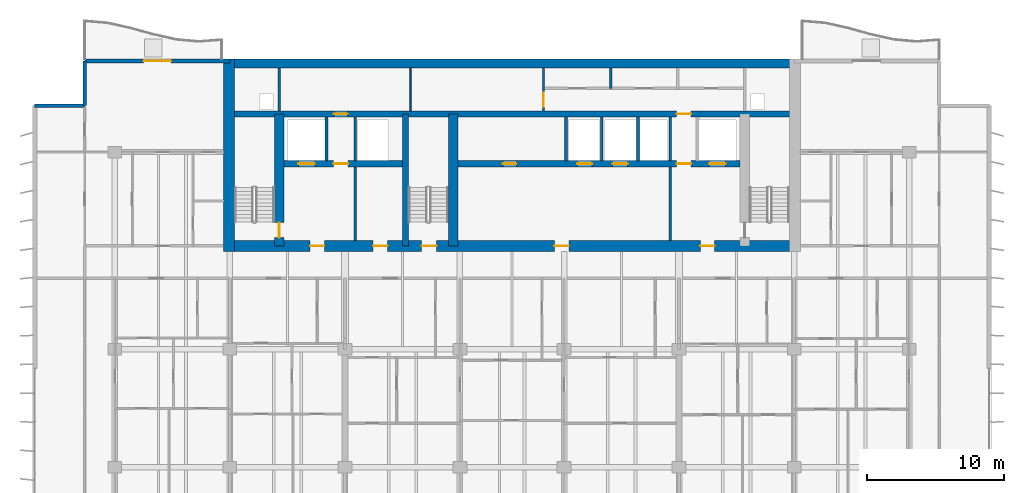
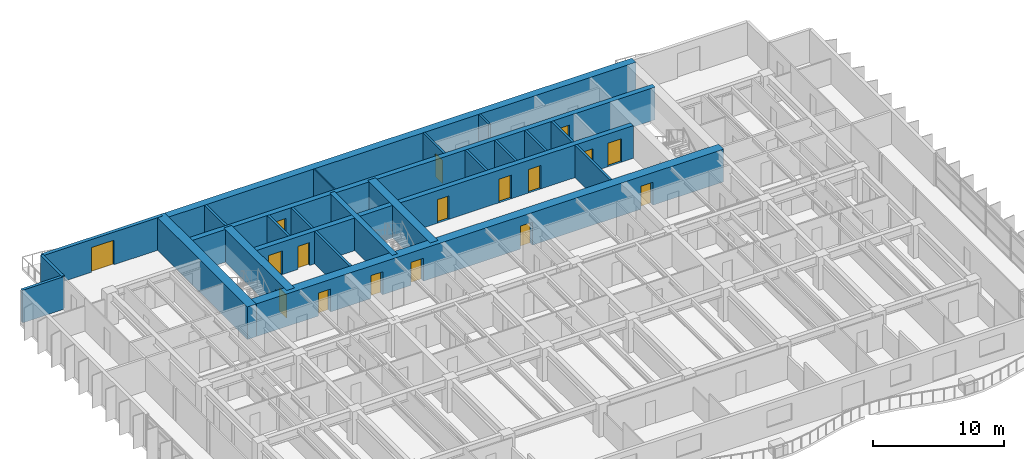
# One storey, part 10 of 16: 23 walls, 17 doors, 17 openings.
"""IFC4 building model written with IfcOpenShell, lengths in metres."""

from ifc_helpers import new_model, si_unit, direction, frame, frame_2d, origin, place, context, subcontext, project, spatial, rectangle, extrude, material, layer, layer_set, type_object, element, fill, save


model = new_model("IFC4")

# Units and contexts
model_context = context("Model", 3, precision=1e-05, world=origin(), true_north=direction((0.0, 1.0)))
body_context = subcontext(model_context, "Body", "Model", "MODEL_VIEW")
ifc_project = project(units=[si_unit("LENGTHUNIT", "METRE"), si_unit("AREAUNIT", "SQUARE_METRE"), si_unit("VOLUMEUNIT", "CUBIC_METRE"), si_unit("PLANEANGLEUNIT", "RADIAN"), si_unit("MASSUNIT", "GRAM", prefix="KILO")], contexts=[model_context])

# Site, building, storey
site_placement = place(None, origin())
site = spatial("IfcSite", under=ifc_project, at=site_placement, CompositionType="ELEMENT")
building_placement = place(site_placement, origin())
building = spatial("IfcBuilding", under=site, at=building_placement, Name="Caelmar Bay Residences", CompositionType="ELEMENT")
storey_placement = place(building_placement, frame((0.0, 0.0, 102.60009765625)))
storey = spatial("IfcBuildingStorey", under=building, at=storey_placement, Name="L27", CompositionType="ELEMENT", Elevation=102.60009765625)

# Wall, opening, door
ifc_material_1 = material(Name="Concrete f'c 55 MPa (8,000 psi)", Category="concrete")
ifc_layer_1 = layer(ifc_material_1, 0.699951171875)
ifc_layer_set_1 = layer_set([ifc_layer_1], Name="Concrete f'c 55 MPa (8,000 psi)")
wall_type_1 = type_object("IfcWallType", Name="SW-COR-700", PredefinedType="SHEAR", material=ifc_layer_set_1)
wall_1_placement = place(storey_placement, frame((21.89990234375, 36.949951171875, 0.0), z_axis=(0.0, 0.0, 1.0), x_axis=(0.0, 1.0, 0.0)))
wall_1 = element("IfcWall", 1, at=wall_1_placement, inside=storey, type_object=wall_type_1, Name="L27 Core Structural Web Wall ST1E", PredefinedType="SHEAR", context=body_context, shape_type="SweptSolid", body=[
    extrude(rectangle(XDim=9.625, YDim=0.699951171875, at=frame_2d((4.8125, 0.0))), origin(), (0.0, 0.0, 1.0), 3.0498046875),
])
opening_1_placement = place(wall_1_placement, frame((0.60009765625, 0.0, 0.0)))
opening_1 = element("IfcOpeningElement", 2, at=opening_1_placement, cuts=wall_1, Name="Opening D-L27-107", PredefinedType="OPENING", context=body_context, shape_type="SweptSolid", body=[
    extrude(rectangle(XDim=1.10009765625, YDim=2.14990234375, at=frame_2d((0.550048828125, 1.074951171875))), frame((0.0, 0.35986328125, 0.0), z_axis=(0.0, -1.0, 0.0), x_axis=(1.0, 0.0, 0.0)), (0.0, 0.0, 1.0), 0.719970703125),
])
ifc_material_2 = material(Name="Fire-rated steel and walnut architectural door assembly", Category="steel")
ifc_layer_2 = layer(ifc_material_2, 0.050048828125)
ifc_layer_set_2 = layer_set([ifc_layer_2], Name="Fire-rated steel and walnut architectural door assembly")
door_type_1 = type_object("IfcDoorType", Name="D-STAIR-1100", OperationType="NOTDEFINED", PredefinedType="DOOR", material=ifc_layer_set_2)
door_1_placement = place(opening_1_placement, origin())
door_1 = element("IfcDoor", 3, at=door_1_placement, inside=storey, type_object=door_type_1, Name="L27 Firefighting Lobby West Door", OperationType="SINGLE_SWING_RIGHT", OverallHeight=2.14990234375, OverallWidth=1.10009765625, PredefinedType="DOOR", context=body_context, shape_type="SweptSolid", body=[
    extrude(rectangle(XDim=1.10009765625, YDim=2.14990234375, at=frame_2d((0.550048828125, 1.074951171875))), frame((0.0, 0.02490234375, 0.0), z_axis=(0.0, -1.0, 0.0), x_axis=(1.0, 0.0, 0.0)), (0.0, 0.0, 1.0), 0.050048828125),
])
fill(opening_1, door_1)

# Wall
wall_2_placement = place(storey_placement, frame((34.60009765625, 36.949951171875, 0.0), z_axis=(0.0, 0.0, 1.0), x_axis=(0.0, 1.0, 0.0)))
element("IfcWall", 4, at=wall_2_placement, inside=storey, type_object=wall_type_1, Name="L27 Core Structural Web Wall ST3E", PredefinedType="SHEAR", context=body_context, shape_type="SweptSolid", body=[
    extrude(rectangle(XDim=9.625, YDim=0.699951171875, at=frame_2d((4.8125, 0.0))), origin(), (0.0, 0.0, 1.0), 3.0498046875),
])

# Wall, openings, doors
ifc_material_3 = material(Name="Concrete f'c 70 MPa (10,000 psi)", Category="concrete")
ifc_layer_3 = layer(ifc_material_3, 0.800048828125)
ifc_layer_set_3 = layer_set([ifc_layer_3], Name="Concrete f'c 70 MPa (10,000 psi)")
wall_type_2 = type_object("IfcWallType", Name="SW-COR-800", PredefinedType="SHEAR", material=ifc_layer_set_3)
wall_3_placement = place(storey_placement, frame((17.85009765625, 36.949951171875, 0.0), z_axis=(0.0, 0.0, 1.0), x_axis=(1.0, 0.0, 0.0)))
wall_3 = element("IfcWall", 5, at=wall_3_placement, inside=storey, type_object=wall_type_2, Name="L27 Rear Core South Shear Wall", PredefinedType="SHEAR", context=body_context, shape_type="SweptSolid", body=[
    extrude(rectangle(XDim=42.099853515625, YDim=0.800048828125, at=frame_2d((21.0498046875, 0.0))), origin(), (0.0, 0.0, 1.0), 3.0498046875),
])
opening_2_placement = place(wall_3_placement, frame((14.449951171875, 0.0, 0.0)))
opening_2 = element("IfcOpeningElement", 6, at=opening_2_placement, cuts=wall_3, Name="Opening D-L27-105", PredefinedType="OPENING", context=body_context, shape_type="SweptSolid", body=[
    extrude(rectangle(XDim=1.10009765625, YDim=2.14990234375, at=frame_2d((0.550048828125, 1.074951171875))), frame((0.0, 0.409912109375, 0.0), z_axis=(0.0, -1.0, 0.0), x_axis=(1.0, 0.0, 0.0)), (0.0, 0.0, 1.0), 0.820068359375),
])
opening_3_placement = place(wall_3_placement, frame((6.300048828125, 0.0, 0.0)))
opening_3 = element("IfcOpeningElement", 7, at=opening_3_placement, cuts=wall_3, Name="Opening D-L27-106", PredefinedType="OPENING", context=body_context, shape_type="SweptSolid", body=[
    extrude(rectangle(XDim=1.050048828125, YDim=2.14990234375, at=frame_2d((0.52490234375, 1.074951171875))), frame((0.0, 0.409912109375, 0.0), z_axis=(0.0, -1.0, 0.0), x_axis=(1.0, 0.0, 0.0)), (0.0, 0.0, 1.0), 0.820068359375),
])
opening_4_placement = place(wall_3_placement, frame((34.800048828125, 0.0, 0.0)))
opening_4 = element("IfcOpeningElement", 8, at=opening_4_placement, cuts=wall_3, Name="Opening D-L27-109", PredefinedType="OPENING", context=body_context, shape_type="SweptSolid", body=[
    extrude(rectangle(XDim=1.050048828125, YDim=2.14990234375, at=frame_2d((0.52490234375, 1.074951171875))), frame((0.0, 0.409912109375, 0.0), z_axis=(0.0, -1.0, 0.0), x_axis=(1.0, 0.0, 0.0)), (0.0, 0.0, 1.0), 0.820068359375),
])
opening_5_placement = place(wall_3_placement, frame((10.91259765625, 0.0, 0.0)))
opening_5 = element("IfcOpeningElement", 9, at=opening_5_placement, cuts=wall_3, Name="Opening D-L27-112", PredefinedType="OPENING", context=body_context, shape_type="SweptSolid", body=[
    extrude(rectangle(XDim=1.050048828125, YDim=2.14990234375, at=frame_2d((0.52490234375, 1.074951171875))), frame((0.0, 0.409912109375, 0.0), z_axis=(0.0, -1.0, 0.0), x_axis=(1.0, 0.0, 0.0)), (0.0, 0.0, 1.0), 0.820068359375),
])
opening_6_placement = place(wall_3_placement, frame((24.14990234375, 0.0, 0.0)))
opening_6 = element("IfcOpeningElement", 10, at=opening_6_placement, cuts=wall_3, Name="Opening D-L27-113", PredefinedType="OPENING", context=body_context, shape_type="SweptSolid", body=[
    extrude(rectangle(XDim=1.050048828125, YDim=2.14990234375, at=frame_2d((0.52490234375, 1.074951171875))), frame((0.0, 0.409912109375, 0.0), z_axis=(0.0, -1.0, 0.0), x_axis=(1.0, 0.0, 0.0)), (0.0, 0.0, 1.0), 0.820068359375),
])
ifc_layer_4 = layer(ifc_material_2, 0.050048828125)
ifc_layer_set_4 = layer_set([ifc_layer_4], Name="Fire-rated steel and walnut architectural door assembly")
door_type_2 = type_object("IfcDoorType", Name="D-FSAE-1050", OperationType="NOTDEFINED", PredefinedType="DOOR", material=ifc_layer_set_4)
door_2_placement = place(opening_3_placement, origin())
door_2 = element("IfcDoor", 11, at=door_2_placement, inside=storey, type_object=door_type_2, Name="L27 Firefighting Lobby West Door", OperationType="SINGLE_SWING_LEFT", OverallHeight=2.14990234375, OverallWidth=1.050048828125, PredefinedType="DOOR", context=body_context, shape_type="SweptSolid", body=[
    extrude(rectangle(XDim=1.050048828125, YDim=2.14990234375, at=frame_2d((0.52490234375, 1.074951171875))), frame((0.0, 0.02490234375, 0.0), z_axis=(0.0, -1.0, 0.0), x_axis=(1.0, 0.0, 0.0)), (0.0, 0.0, 1.0), 0.050048828125),
])
fill(opening_3, door_2)
door_3_placement = place(opening_4_placement, origin())
door_3 = element("IfcDoor", 12, at=door_3_placement, inside=storey, type_object=door_type_2, Name="L27 Firefighting Lobby East Door", OperationType="SINGLE_SWING_RIGHT", OverallHeight=2.14990234375, OverallWidth=1.050048828125, PredefinedType="DOOR", context=body_context, shape_type="SweptSolid", body=[
    extrude(rectangle(XDim=1.050048828125, YDim=2.14990234375, at=frame_2d((0.52490234375, 1.074951171875))), frame((0.0, 0.02490234375, 0.0), z_axis=(0.0, -1.0, 0.0), x_axis=(1.0, 0.0, 0.0)), (0.0, 0.0, 1.0), 0.050048828125),
])
fill(opening_4, door_3)
door_4_placement = place(opening_5_placement, origin())
door_4 = element("IfcDoor", 13, at=door_4_placement, inside=storey, type_object=door_type_2, Name="L27 West Lift Lobby Door", OperationType="SINGLE_SWING_LEFT", OverallHeight=2.14990234375, OverallWidth=1.050048828125, PredefinedType="DOOR", context=body_context, shape_type="SweptSolid", body=[
    extrude(rectangle(XDim=1.050048828125, YDim=2.14990234375, at=frame_2d((0.52490234375, 1.074951171875))), frame((0.0, 0.02490234375, 0.0), z_axis=(0.0, -1.0, 0.0), x_axis=(1.0, 0.0, 0.0)), (0.0, 0.0, 1.0), 0.050048828125),
])
fill(opening_5, door_4)
door_5_placement = place(opening_6_placement, origin())
door_5 = element("IfcDoor", 14, at=door_5_placement, inside=storey, type_object=door_type_2, Name="L27 Passenger Lift Lobby Door", OperationType="SINGLE_SWING_RIGHT", OverallHeight=2.14990234375, OverallWidth=1.050048828125, PredefinedType="DOOR", context=body_context, shape_type="SweptSolid", body=[
    extrude(rectangle(XDim=1.050048828125, YDim=2.14990234375, at=frame_2d((0.52490234375, 1.074951171875))), frame((0.0, 0.02490234375, 0.0), z_axis=(0.0, -1.0, 0.0), x_axis=(1.0, 0.0, 0.0)), (0.0, 0.0, 1.0), 0.050048828125),
])
fill(opening_6, door_5)
door_6_placement = place(opening_2_placement, origin())
door_6 = element("IfcDoor", 15, at=door_6_placement, inside=storey, type_object=door_type_1, Name="L27 Exit Stair ST3 Door", OperationType="SINGLE_SWING_RIGHT", OverallHeight=2.14990234375, OverallWidth=1.10009765625, PredefinedType="DOOR", context=body_context, shape_type="SweptSolid", body=[
    extrude(rectangle(XDim=1.10009765625, YDim=2.14990234375, at=frame_2d((0.550048828125, 1.074951171875))), frame((0.0, 0.02490234375, 0.0), z_axis=(0.0, -1.0, 0.0), x_axis=(1.0, 0.0, 0.0)), (0.0, 0.0, 1.0), 0.050048828125),
])
fill(opening_2, door_6)

# Walls
wall_4_placement = place(storey_placement, frame((18.25, 36.550048828125, 0.0), z_axis=(0.0, 0.0, 1.0), x_axis=(0.0, 1.0, 0.0)))
element("IfcWall", 16, at=wall_4_placement, inside=storey, type_object=wall_type_2, Name="L27 Rear Core West Shear Wall", PredefinedType="SHEAR", context=body_context, shape_type="SweptSolid", body=[
    extrude(rectangle(XDim=14.050048828125, YDim=0.800048828125, at=frame_2d((7.02490234375, 0.0))), origin(), (0.0, 0.0, 1.0), 3.0498046875),
])
ifc_layer_5 = layer(ifc_material_1, 0.64990234375)
ifc_layer_set_5 = layer_set([ifc_layer_5], Name="Concrete f'c 55 MPa (8,000 psi)")
wall_type_3 = type_object("IfcWallType", Name="SW-CORN-650", PredefinedType="SHEAR", material=ifc_layer_set_5)
wall_5_placement = place(storey_placement, frame((17.85009765625, 50.27490234375, 0.0), z_axis=(0.0, 0.0, 1.0), x_axis=(1.0, 0.0, 0.0)))
element("IfcWall", 17, at=wall_5_placement, inside=storey, type_object=wall_type_3, Name="L27 Rear Core North Shear Wall", PredefinedType="SHEAR", context=body_context, shape_type="SweptSolid", body=[
    extrude(rectangle(XDim=42.099853515625, YDim=0.64990234375, at=frame_2d((21.0498046875, 0.0))), origin(), (0.0, 0.0, 1.0), 3.0498046875),
])
ifc_layer_6 = layer(ifc_material_3, 0.449951171875)
ifc_layer_set_6 = layer_set([ifc_layer_6], Name="Concrete f'c 70 MPa (10,000 psi)")
wall_type_4 = type_object("IfcWallType", Name="SW-WEB-450", PredefinedType="SHEAR", material=ifc_layer_set_6)
wall_6_placement = place(storey_placement, frame((31.125, 36.949951171875, 0.0), z_axis=(0.0, 0.0, 1.0), x_axis=(0.0, 1.0, 0.0)))
element("IfcWall", 18, at=wall_6_placement, inside=storey, type_object=wall_type_4, Name="L27 Core Structural Web Wall ST3W", PredefinedType="SHEAR", context=body_context, shape_type="SweptSolid", body=[
    extrude(rectangle(XDim=9.625, YDim=0.449951171875, at=frame_2d((4.8125, 0.0))), origin(), (0.0, 0.0, 1.0), 3.0498046875),
])

# Wall, openings, doors
wall_7_placement = place(storey_placement, frame((22.25, 42.949951171875, 0.0), z_axis=(0.0, 0.0, 1.0), x_axis=(1.0, 0.0, 0.0)))
wall_7 = element("IfcWall", 19, at=wall_7_placement, inside=storey, type_object=wall_type_4, Name="L27 Core Structural Web Wall LFR", PredefinedType="SHEAR", context=body_context, shape_type="SweptSolid", body=[
    extrude(rectangle(XDim=33.300048828125, YDim=0.449951171875, at=frame_2d((16.64990234375, 0.0))), origin(), (0.0, 0.0, 1.0), 3.0498046875),
])
opening_7_placement = place(wall_7_placement, frame((1.050048828125, 0.0, 0.0)))
opening_7 = element("IfcOpeningElement", 20, at=opening_7_placement, cuts=wall_7, Name="Opening LD2", PredefinedType="OPENING", context=body_context, shape_type="SweptSolid", body=[
    extrude(rectangle(XDim=1.199951171875, YDim=2.199951171875, at=frame_2d((0.60009765625, 1.10009765625))), frame((0.0, 0.23486328125, 0.0), z_axis=(0.0, -1.0, 0.0), x_axis=(1.0, 0.0, 0.0)), (0.0, 0.0, 1.0), 0.469970703125),
])
opening_8_placement = place(wall_7_placement, frame((31.050048828125, 0.0, 0.0)))
opening_8 = element("IfcOpeningElement", 21, at=opening_8_placement, cuts=wall_7, Name="Opening LD2", PredefinedType="OPENING", context=body_context, shape_type="SweptSolid", body=[
    extrude(rectangle(XDim=1.199951171875, YDim=2.199951171875, at=frame_2d((0.60009765625, 1.10009765625))), frame((0.0, 0.23486328125, 0.0), z_axis=(0.0, -1.0, 0.0), x_axis=(1.0, 0.0, 0.0)), (0.0, 0.0, 1.0), 0.469970703125),
])
opening_9_placement = place(wall_7_placement, frame((21.39990234375, 0.0, 0.0)))
opening_9 = element("IfcOpeningElement", 22, at=opening_9_placement, cuts=wall_7, Name="Opening LD1", PredefinedType="OPENING", context=body_context, shape_type="SweptSolid", body=[
    extrude(rectangle(XDim=1.10009765625, YDim=2.199951171875, at=frame_2d((0.550048828125, 1.10009765625))), frame((0.0, 0.23486328125, 0.0), z_axis=(0.0, -1.0, 0.0), x_axis=(1.0, 0.0, 0.0)), (0.0, 0.0, 1.0), 0.469970703125),
])
opening_10_placement = place(wall_7_placement, frame((24.0, 0.0, 0.0)))
opening_10 = element("IfcOpeningElement", 23, at=opening_10_placement, cuts=wall_7, Name="Opening LD1", PredefinedType="OPENING", context=body_context, shape_type="SweptSolid", body=[
    extrude(rectangle(XDim=1.10009765625, YDim=2.199951171875, at=frame_2d((0.550048828125, 1.10009765625))), frame((0.0, 0.23486328125, 0.0), z_axis=(0.0, -1.0, 0.0), x_axis=(1.0, 0.0, 0.0)), (0.0, 0.0, 1.0), 0.469970703125),
])
opening_11_placement = place(wall_7_placement, frame((3.625, 0.0, 0.0)))
opening_11 = element("IfcOpeningElement", 24, at=opening_11_placement, cuts=wall_7, Name="Opening D-L27-108", PredefinedType="OPENING", context=body_context, shape_type="SweptSolid", body=[
    extrude(rectangle(XDim=1.050048828125, YDim=2.14990234375, at=frame_2d((0.52490234375, 1.074951171875))), frame((0.0, 0.23486328125, 0.0), z_axis=(0.0, -1.0, 0.0), x_axis=(1.0, 0.0, 0.0)), (0.0, 0.0, 1.0), 0.469970703125),
])
opening_12_placement = place(wall_7_placement, frame((28.675048828125, 0.0, 0.0)))
opening_12 = element("IfcOpeningElement", 25, at=opening_12_placement, cuts=wall_7, Name="Opening D-L27-111", PredefinedType="OPENING", context=body_context, shape_type="SweptSolid", body=[
    extrude(rectangle(XDim=1.050048828125, YDim=2.14990234375, at=frame_2d((0.52490234375, 1.074951171875))), frame((0.0, 0.23486328125, 0.0), z_axis=(0.0, -1.0, 0.0), x_axis=(1.0, 0.0, 0.0)), (0.0, 0.0, 1.0), 0.469970703125),
])
opening_13_placement = place(wall_7_placement, frame((15.97509765625, 0.0, 0.0)))
opening_13 = element("IfcOpeningElement", 26, at=opening_13_placement, cuts=wall_7, Name="Opening D-L27-114", PredefinedType="OPENING", context=body_context, shape_type="SweptSolid", body=[
    extrude(rectangle(XDim=1.0, YDim=2.199951171875, at=frame_2d((0.5, 1.10009765625))), frame((0.0, 0.23486328125, 0.0), z_axis=(0.0, -1.0, 0.0), x_axis=(1.0, 0.0, 0.0)), (0.0, 0.0, 1.0), 0.469970703125),
])
door_7_placement = place(opening_11_placement, origin())
door_7 = element("IfcDoor", 27, at=door_7_placement, inside=storey, type_object=door_type_2, Name="L27 Firefighting Lobby West Door", OperationType="SINGLE_SWING_LEFT", OverallHeight=2.14990234375, OverallWidth=1.050048828125, PredefinedType="DOOR", context=body_context, shape_type="SweptSolid", body=[
    extrude(rectangle(XDim=1.050048828125, YDim=2.14990234375, at=frame_2d((0.52490234375, 1.074951171875))), frame((0.0, 0.02490234375, 0.0), z_axis=(0.0, -1.0, 0.0), x_axis=(1.0, 0.0, 0.0)), (0.0, 0.0, 1.0), 0.050048828125),
])
fill(opening_11, door_7)
door_8_placement = place(opening_12_placement, origin())
door_8 = element("IfcDoor", 28, at=door_8_placement, inside=storey, type_object=door_type_2, Name="L27 Firefighting Lobby East Door", OperationType="SINGLE_SWING_RIGHT", OverallHeight=2.14990234375, OverallWidth=1.050048828125, PredefinedType="DOOR", context=body_context, shape_type="SweptSolid", body=[
    extrude(rectangle(XDim=1.050048828125, YDim=2.14990234375, at=frame_2d((0.52490234375, 1.074951171875))), frame((0.0, 0.02490234375, 0.0), z_axis=(0.0, -1.0, 0.0), x_axis=(1.0, 0.0, 0.0)), (0.0, 0.0, 1.0), 0.050048828125),
])
fill(opening_12, door_8)
ifc_material_4 = material(Name="Brushed bronze stainless-steel fire-rated lift landing doors", Category="steel")
ifc_layer_7 = layer(ifc_material_4, 0.050048828125)
ifc_layer_set_7 = layer_set([ifc_layer_7], Name="Brushed bronze stainless-steel fire-rated lift landing doors")
door_type_3 = type_object("IfcDoorType", Name="D-LND-1100", OperationType="DOUBLE_DOOR_SLIDING", PredefinedType="DOOR", material=ifc_layer_set_7)
door_9_placement = place(opening_9_placement, origin())
door_9 = element("IfcDoor", 29, at=door_9_placement, inside=storey, type_object=door_type_3, Name="L27 LP4 Sliding Landing Door", OperationType="DOUBLE_DOOR_SLIDING", OverallHeight=2.199951171875, OverallWidth=1.10009765625, PredefinedType="DOOR", context=body_context, shape_type="SweptSolid", body=[
    extrude(rectangle(XDim=1.10009765625, YDim=2.199951171875, at=frame_2d((0.550048828125, 1.10009765625))), frame((0.0, 0.02490234375, 0.0), z_axis=(0.0, -1.0, 0.0), x_axis=(1.0, 0.0, 0.0)), (0.0, 0.0, 1.0), 0.050048828125),
])
fill(opening_9, door_9)
door_10_placement = place(opening_10_placement, origin())
door_10 = element("IfcDoor", 30, at=door_10_placement, inside=storey, type_object=door_type_3, Name="L27 LP5 Sliding Landing Door", OperationType="DOUBLE_DOOR_SLIDING", OverallHeight=2.199951171875, OverallWidth=1.10009765625, PredefinedType="DOOR", context=body_context, shape_type="SweptSolid", body=[
    extrude(rectangle(XDim=1.10009765625, YDim=2.199951171875, at=frame_2d((0.550048828125, 1.10009765625))), frame((0.0, 0.02490234375, 0.0), z_axis=(0.0, -1.0, 0.0), x_axis=(1.0, 0.0, 0.0)), (0.0, 0.0, 1.0), 0.050048828125),
])
fill(opening_10, door_10)
ifc_material_5 = material(Name="Brushed stainless-steel FSAE sliding landing door", Category="steel")
ifc_layer_8 = layer(ifc_material_5, 0.050048828125)
ifc_layer_set_8 = layer_set([ifc_layer_8], Name="Brushed stainless-steel FSAE sliding landing door")
door_type_4 = type_object("IfcDoorType", Name="D-LND-1200", OperationType="DOUBLE_DOOR_SLIDING", PredefinedType="DOOR", material=ifc_layer_set_8)
door_11_placement = place(opening_7_placement, origin())
door_11 = element("IfcDoor", 31, at=door_11_placement, inside=storey, type_object=door_type_4, Name="L27 LF1 Sliding Landing Door", OperationType="DOUBLE_DOOR_SLIDING", OverallHeight=2.199951171875, OverallWidth=1.199951171875, PredefinedType="DOOR", context=body_context, shape_type="SweptSolid", body=[
    extrude(rectangle(XDim=1.199951171875, YDim=2.199951171875, at=frame_2d((0.60009765625, 1.10009765625))), frame((0.0, 0.02490234375, 0.0), z_axis=(0.0, -1.0, 0.0), x_axis=(1.0, 0.0, 0.0)), (0.0, 0.0, 1.0), 0.050048828125),
])
fill(opening_7, door_11)
door_12_placement = place(opening_8_placement, origin())
door_12 = element("IfcDoor", 32, at=door_12_placement, inside=storey, type_object=door_type_4, Name="L27 LF2 Sliding Landing Door", OperationType="DOUBLE_DOOR_SLIDING", OverallHeight=2.199951171875, OverallWidth=1.199951171875, PredefinedType="DOOR", context=body_context, shape_type="SweptSolid", body=[
    extrude(rectangle(XDim=1.199951171875, YDim=2.199951171875, at=frame_2d((0.60009765625, 1.10009765625))), frame((0.0, 0.02490234375, 0.0), z_axis=(0.0, -1.0, 0.0), x_axis=(1.0, 0.0, 0.0)), (0.0, 0.0, 1.0), 0.050048828125),
])
fill(opening_8, door_12)
ifc_layer_9 = layer(ifc_material_2, 0.050048828125)
ifc_layer_set_9 = layer_set([ifc_layer_9], Name="Fire-rated steel and walnut architectural door assembly")
door_type_5 = type_object("IfcDoorType", Name="D-UNIT-1000", OperationType="NOTDEFINED", PredefinedType="DOOR", material=ifc_layer_set_9)
door_13_placement = place(opening_13_placement, origin())
door_13 = element("IfcDoor", 33, at=door_13_placement, inside=storey, type_object=door_type_5, Name="L27 Quiet Reading Study Door", OperationType="SINGLE_SWING_LEFT", OverallHeight=2.199951171875, OverallWidth=1.0, PredefinedType="DOOR", context=body_context, shape_type="SweptSolid", body=[
    extrude(rectangle(XDim=1.0, YDim=2.199951171875, at=frame_2d((0.5, 1.10009765625))), frame((0.0, 0.02490234375, 0.0), z_axis=(0.0, -1.0, 0.0), x_axis=(1.0, 0.0, 0.0)), (0.0, 0.0, 1.0), 0.050048828125),
])
fill(opening_13, door_13)

wall_8_placement = place(storey_placement, frame((18.25, 46.574951171875, 0.0), z_axis=(0.0, 0.0, 1.0), x_axis=(1.0, 0.0, 0.0)))
wall_8 = element("IfcWall", 34, at=wall_8_placement, inside=storey, type_object=wall_type_4, Name="L27 Core Structural Web Wall SRVS", PredefinedType="SHEAR", context=body_context, shape_type="SweptSolid", body=[
    extrude(rectangle(XDim=41.300048828125, YDim=0.449951171875, at=frame_2d((20.64990234375, 0.0))), origin(), (0.0, 0.0, 1.0), 3.0498046875),
])
opening_14_placement = place(wall_8_placement, frame((7.64990234375, 0.0, 0.0)))
opening_14 = element("IfcOpeningElement", 35, at=opening_14_placement, cuts=wall_8, Name="Opening D-L27-115", PredefinedType="OPENING", context=body_context, shape_type="SweptSolid", body=[
    extrude(rectangle(XDim=1.0, YDim=2.199951171875, at=frame_2d((0.5, 1.10009765625))), frame((0.0, 0.23486328125, 0.0), z_axis=(0.0, -1.0, 0.0), x_axis=(1.0, 0.0, 0.0)), (0.0, 0.0, 1.0), 0.469970703125),
])
opening_15_placement = place(wall_8_placement, frame((32.675048828125, 0.0, 0.0)))
opening_15 = element("IfcOpeningElement", 36, at=opening_15_placement, cuts=wall_8, Name="Opening D-L27-116", PredefinedType="OPENING", context=body_context, shape_type="SweptSolid", body=[
    extrude(rectangle(XDim=1.050048828125, YDim=2.14990234375, at=frame_2d((0.52490234375, 1.074951171875))), frame((0.0, 0.23486328125, 0.0), z_axis=(0.0, -1.0, 0.0), x_axis=(1.0, 0.0, 0.0)), (0.0, 0.0, 1.0), 0.469970703125),
])
door_14_placement = place(opening_15_placement, origin())
door_14 = element("IfcDoor", 37, at=door_14_placement, inside=storey, type_object=door_type_2, Name="L27 East Core Service Corridor Door", OperationType="SINGLE_SWING_LEFT", OverallHeight=2.14990234375, OverallWidth=1.050048828125, PredefinedType="DOOR", context=body_context, shape_type="SweptSolid", body=[
    extrude(rectangle(XDim=1.050048828125, YDim=2.14990234375, at=frame_2d((0.52490234375, 1.074951171875))), frame((0.0, 0.02490234375, 0.0), z_axis=(0.0, -1.0, 0.0), x_axis=(1.0, 0.0, 0.0)), (0.0, 0.0, 1.0), 0.050048828125),
])
fill(opening_15, door_14)
door_15_placement = place(opening_14_placement, origin())
door_15 = element("IfcDoor", 38, at=door_15_placement, inside=storey, type_object=door_type_5, Name="L27 Package Concierge Office Door", OperationType="SINGLE_SWING_RIGHT", OverallHeight=2.199951171875, OverallWidth=1.0, PredefinedType="DOOR", context=body_context, shape_type="SweptSolid", body=[
    extrude(rectangle(XDim=1.0, YDim=2.199951171875, at=frame_2d((0.5, 1.10009765625))), frame((0.0, 0.02490234375, 0.0), z_axis=(0.0, -1.0, 0.0), x_axis=(1.0, 0.0, 0.0)), (0.0, 0.0, 1.0), 0.050048828125),
])
fill(opening_14, door_15)

# Wall, opening, door
ifc_material_6 = material(Name="Double-stud acoustic fire-rated gypsum partition 180 mm")
ifc_layer_10 = layer(ifc_material_6, 0.179931640625)
ifc_layer_set_10 = layer_set([ifc_layer_10], Name="Double-stud acoustic fire-rated gypsum partition 180 mm")
wall_type_5 = type_object("IfcWallType", Name="W-COR-200", PredefinedType="PARTITIONING", material=ifc_layer_set_10)
wall_9_placement = place(storey_placement, frame((41.199951171875, 46.794921875, 0.0), z_axis=(0.0, 0.0, 1.0), x_axis=(0.0, 1.0, 0.0)))
wall_9 = element("IfcWall", 39, at=wall_9_placement, inside=storey, type_object=wall_type_5, Name="L27 Partition Wall V060", PredefinedType="PARTITIONING", context=body_context, shape_type="SweptSolid", body=[
    extrude(rectangle(XDim=3.16015625, YDim=0.179931640625, at=frame_2d((1.580078125, 0.0))), origin(), (0.0, 0.0, 1.0), 3.0498046875),
])
opening_16_placement = place(wall_9_placement, frame((0.327392578125, 0.0, 0.0)))
opening_16 = element("IfcOpeningElement", 40, at=opening_16_placement, cuts=wall_9, Name="Opening D-L27-117", PredefinedType="OPENING", context=body_context, shape_type="SweptSolid", body=[
    extrude(rectangle(XDim=1.0, YDim=2.199951171875, at=frame_2d((0.5, 1.10009765625))), frame((0.0, 0.099853515625, 0.0), z_axis=(0.0, -1.0, 0.0), x_axis=(1.0, 0.0, 0.0)), (0.0, 0.0, 1.0), 0.199951171875),
])
door_16_placement = place(opening_16_placement, origin())
door_16 = element("IfcDoor", 41, at=door_16_placement, inside=storey, type_object=door_type_5, Name="L27 Engineering Control Office Door", OperationType="SINGLE_SWING_RIGHT", OverallHeight=2.199951171875, OverallWidth=1.0, PredefinedType="DOOR", context=body_context, shape_type="SweptSolid", body=[
    extrude(rectangle(XDim=1.0, YDim=2.199951171875, at=frame_2d((0.5, 1.10009765625))), frame((0.0, 0.02490234375, 0.0), z_axis=(0.0, -1.0, 0.0), x_axis=(1.0, 0.0, 0.0)), (0.0, 0.0, 1.0), 0.050048828125),
])
fill(opening_16, door_16)

# Walls
wall_10_placement = place(storey_placement, frame((46.10009765625, 48.449951171875, 0.0), z_axis=(0.0, 0.0, 1.0), x_axis=(0.0, 1.0, 0.0)))
element("IfcWall", 42, at=wall_10_placement, inside=storey, type_object=wall_type_5, Name="L27 Partition Wall V069", PredefinedType="PARTITIONING", context=body_context, shape_type="SweptSolid", body=[
    extrude(rectangle(XDim=1.505126953125, YDim=0.179931640625, at=frame_2d((0.75244140625, 0.0))), origin(), (0.0, 0.0, 1.0), 3.0498046875),
])
ifc_material_7 = material(Name="Precast concrete f'c 40 MPa (6,000 psi)", Category="concrete")
ifc_layer_11 = layer(ifc_material_7, 0.25)
ifc_layer_set_11 = layer_set([ifc_layer_11], Name="Precast concrete f'c 40 MPa (6,000 psi)")
wall_type_6 = type_object("IfcWallType", Name="W-EXT-250", PredefinedType="ELEMENTEDWALL", material=ifc_layer_set_11)
wall_11_placement = place(storey_placement, frame((4.050048828125, 47.199951171875, 0.0), z_axis=(0.0, 0.0, 1.0), x_axis=(1.0, 0.0, 0.0)))
element("IfcWall", 43, at=wall_11_placement, inside=storey, type_object=wall_type_6, Name="L27 NNW-H Notch Wall", PredefinedType="ELEMENTEDWALL", context=body_context, shape_type="SweptSolid", body=[
    extrude(rectangle(XDim=3.64990234375, YDim=0.25, at=frame_2d((1.824951171875, 0.0))), origin(), (0.0, 0.0, 1.0), 3.0498046875),
])
wall_12_placement = place(storey_placement, frame((7.699951171875, 47.199951171875, 0.0), z_axis=(0.0, 0.0, 1.0), x_axis=(0.0, 1.0, 0.0)))
element("IfcWall", 44, at=wall_12_placement, inside=storey, type_object=wall_type_6, Name="L27 NNW-V Notch Wall", PredefinedType="ELEMENTEDWALL", context=body_context, shape_type="SweptSolid", body=[
    extrude(rectangle(XDim=3.25, YDim=0.25, at=frame_2d((1.625, 0.0))), origin(), (0.0, 0.0, 1.0), 3.0498046875),
])

# Wall, opening, door
ifc_layer_12 = layer(ifc_material_7, 0.300048828125)
ifc_layer_set_12 = layer_set([ifc_layer_12], Name="Precast concrete f'c 40 MPa (6,000 psi)")
wall_type_7 = type_object("IfcWallType", Name="W-EXT-300", PredefinedType="STANDARD", material=ifc_layer_set_12)
wall_13_placement = place(storey_placement, frame((7.699951171875, 50.449951171875, 0.0), z_axis=(0.0, 0.0, 1.0), x_axis=(1.0, 0.0, 0.0)))
wall_13 = element("IfcWall", 45, at=wall_13_placement, inside=storey, type_object=wall_type_7, Name="L27 North-West Wing Exterior Wall", PredefinedType="STANDARD", context=body_context, shape_type="SweptSolid", body=[
    extrude(rectangle(XDim=10.60009765625, YDim=0.300048828125, at=frame_2d((5.300048828125, 0.0))), origin(), (0.0, 0.0, 1.0), 3.0498046875),
])
opening_17_placement = place(wall_13_placement, frame((4.300048828125, 0.0, 0.0)))
opening_17 = element("IfcOpeningElement", 46, at=opening_17_placement, cuts=wall_13, Name="Opening L27-BDNW", PredefinedType="OPENING", context=body_context, shape_type="SweptSolid", body=[
    extrude(rectangle(XDim=2.0, YDim=2.300048828125, at=frame_2d((1.0, 1.14990234375))), frame((0.0, 0.159912109375, 0.0), z_axis=(0.0, -1.0, 0.0), x_axis=(1.0, 0.0, 0.0)), (0.0, 0.0, 1.0), 0.320068359375),
])
ifc_material_8 = material(Name="Anodised bronze thermally broken sliding glass door", Category="glass")
ifc_layer_13 = layer(ifc_material_8, 0.050048828125)
ifc_layer_set_13 = layer_set([ifc_layer_13], Name="Anodised bronze thermally broken sliding glass door")
door_type_6 = type_object("IfcDoorType", Name="D-BAL-2000", OperationType="DOUBLE_DOOR_SLIDING", PredefinedType="DOOR", material=ifc_layer_set_13)
door_17_placement = place(opening_17_placement, origin())
door_17 = element("IfcDoor", 47, at=door_17_placement, inside=storey, type_object=door_type_6, Name="L27 North-West Balcony Door", OperationType="DOUBLE_DOOR_SLIDING", OverallHeight=2.300048828125, OverallWidth=2.0, PredefinedType="DOOR", context=body_context, shape_type="SweptSolid", body=[
    extrude(rectangle(XDim=2.0, YDim=2.300048828125, at=frame_2d((1.0, 1.14990234375))), frame((0.0, 0.02490234375, 0.0), z_axis=(0.0, -1.0, 0.0), x_axis=(1.0, 0.0, 0.0)), (0.0, 0.0, 1.0), 0.050048828125),
])
fill(opening_17, door_17)

# Walls
ifc_material_9 = material(Name="Fire-rated masonry and gypsum shaftliner assembly 200 mm", Category="masonry")
ifc_layer_14 = layer(ifc_material_9, 0.199951171875)
ifc_layer_set_14 = layer_set([ifc_layer_14], Name="Fire-rated masonry and gypsum shaftliner assembly 200 mm")
wall_type_8 = type_object("IfcWallType", Name="W-FSAE-200", PredefinedType="PARTITIONING", material=ifc_layer_set_14)
wall_14_placement = place(storey_placement, frame((21.89990234375, 46.794921875, 0.0), z_axis=(0.0, 0.0, 1.0), x_axis=(0.0, 1.0, 0.0)))
element("IfcWall", 48, at=wall_14_placement, inside=storey, type_object=wall_type_8, Name="L27 Partition Wall V029", PredefinedType="PARTITIONING", context=body_context, shape_type="SweptSolid", body=[
    extrude(rectangle(XDim=3.16015625, YDim=0.199951171875, at=frame_2d((1.580078125, 0.0))), origin(), (0.0, 0.0, 1.0), 3.0498046875),
])
wall_15_placement = place(storey_placement, frame((25.35009765625, 43.169921875, 0.0), z_axis=(0.0, 0.0, 1.0), x_axis=(0.0, 1.0, 0.0)))
element("IfcWall", 49, at=wall_15_placement, inside=storey, type_object=wall_type_8, Name="L27 Partition Wall V036", PredefinedType="PARTITIONING", context=body_context, shape_type="SweptSolid", body=[
    extrude(rectangle(XDim=3.18505859375, YDim=0.199951171875, at=frame_2d((1.592529296875, 0.0))), origin(), (0.0, 0.0, 1.0), 3.0498046875),
])
wall_16_placement = place(storey_placement, frame((27.449951171875, 37.344970703125, 0.0), z_axis=(0.0, 0.0, 1.0), x_axis=(0.0, 1.0, 0.0)))
element("IfcWall", 50, at=wall_16_placement, inside=storey, type_object=wall_type_8, Name="L27 Partition Wall V042", PredefinedType="PARTITIONING", context=body_context, shape_type="SweptSolid", body=[
    extrude(rectangle(XDim=5.385009765625, YDim=0.199951171875, at=frame_2d((2.6923828125, 0.0))), origin(), (0.0, 0.0, 1.0), 3.0498046875),
])
for number, where, z_axis, x_axis, name in (
    (51, (27.449951171875, 43.169921875, 0.0), (0.0, 0.0, 1.0), (0.0, 1.0, 0.0), "L27 Partition Wall V043"),
    (52, (42.85009765625, 43.169921875, 0.0), (0.0, 0.0, 1.0), (0.0, 1.0, 0.0), "L27 Partition Wall V067"),
    (53, (45.449951171875, 43.169921875, 0.0), (0.0, 0.0, 1.0), (0.0, 1.0, 0.0), "L27 Partition Wall V068"),
    (54, (48.10009765625, 43.169921875, 0.0), (0.0, 0.0, 1.0), (0.0, 1.0, 0.0), "L27 Partition Wall V070"),
):
    element("IfcWall", number, at=place(storey_placement, frame(where, z_axis=z_axis, x_axis=x_axis)), inside=storey, type_object=wall_type_8, Name=name, PredefinedType="PARTITIONING", context=body_context, shape_type="SweptSolid", body=[
        extrude(rectangle(XDim=3.18505859375, YDim=0.199951171875, at=frame_2d((1.592529296875, 0.0))), origin(), (0.0, 0.0, 1.0), 3.0498046875),
    ])
wall_17_placement = place(storey_placement, frame((50.449951171875, 37.344970703125, 0.0), z_axis=(0.0, 0.0, 1.0), x_axis=(0.0, 1.0, 0.0)))
element("IfcWall", 55, at=wall_17_placement, inside=storey, type_object=wall_type_8, Name="L27 Partition Wall V074", PredefinedType="PARTITIONING", context=body_context, shape_type="SweptSolid", body=[
    extrude(rectangle(XDim=5.385009765625, YDim=0.199951171875, at=frame_2d((2.6923828125, 0.0))), origin(), (0.0, 0.0, 1.0), 3.0498046875),
])
wall_18_placement = place(storey_placement, frame((50.449951171875, 43.169921875, 0.0), z_axis=(0.0, 0.0, 1.0), x_axis=(0.0, 1.0, 0.0)))
element("IfcWall", 56, at=wall_18_placement, inside=storey, type_object=wall_type_8, Name="L27 Partition Wall V075", PredefinedType="PARTITIONING", context=body_context, shape_type="SweptSolid", body=[
    extrude(rectangle(XDim=3.18505859375, YDim=0.199951171875, at=frame_2d((1.592529296875, 0.0))), origin(), (0.0, 0.0, 1.0), 3.0498046875),
])
ifc_material_10 = material(Name="Acoustic metal-stud gypsum partition 120 mm")
ifc_layer_15 = layer(ifc_material_10, 0.1201171875)
ifc_layer_set_15 = layer_set([ifc_layer_15], Name="Acoustic metal-stud gypsum partition 120 mm")
wall_type_9 = type_object("IfcWallType", Name="W-PRT-120", PredefinedType="PARTITIONING", material=ifc_layer_set_15)
wall_19_placement = place(storey_placement, frame((31.5, 46.794921875, 0.0), z_axis=(0.0, 0.0, 1.0), x_axis=(0.0, 1.0, 0.0)))
element("IfcWall", 57, at=wall_19_placement, inside=storey, type_object=wall_type_9, Name="L27 Partition Wall V047", PredefinedType="PARTITIONING", context=body_context, shape_type="SweptSolid", body=[
    extrude(rectangle(XDim=3.16015625, YDim=0.1201171875, at=frame_2d((1.580078125, 0.0))), origin(), (0.0, 0.0, 1.0), 3.0498046875),
])

save(model, "model.ifc")
